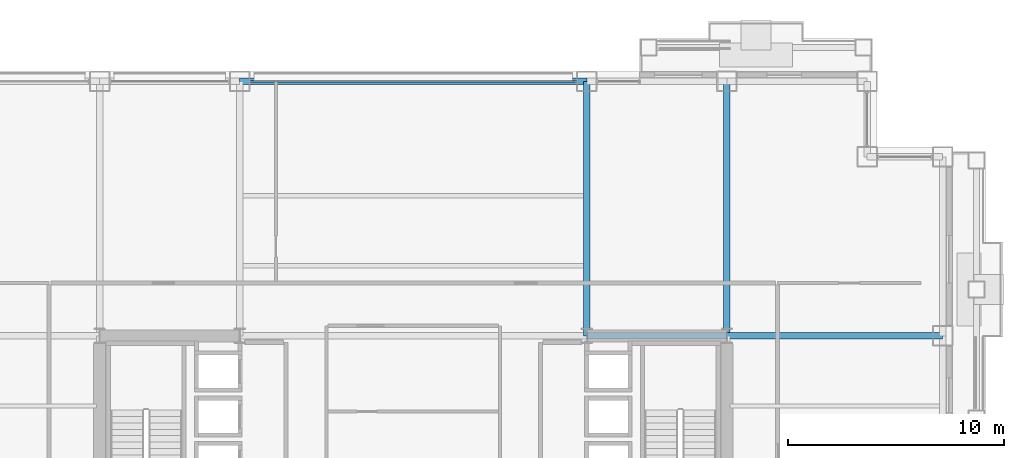
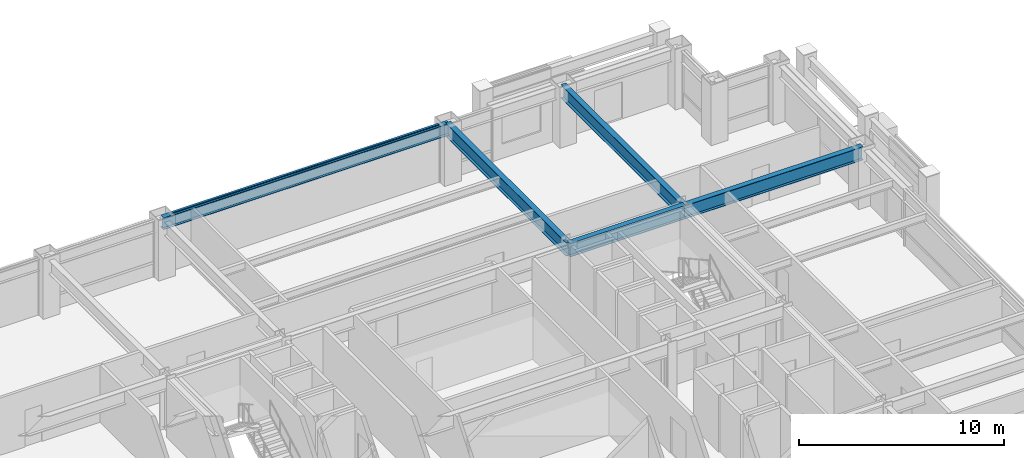
# One storey, part 20 of 31: 5 beams, 1 member, 1 element without a shape of its own.
"""IFC4 building model written with IfcOpenShell, lengths in metres."""

import ifcopenshell
import ifcopenshell.guid

model = None  # the IFC model being written
_history = None  # IfcOwnerHistory: only IFC2X3 demands one
_inside = {}  # id of a spatial element -> (the spatial element, [elements in it])
_under = {}  # id of a project, library or spatial element -> (it, [spatial elements below it])
_declared = {}  # id of a project -> (the project, [libraries it declares])
_typed = {}  # id of a type object -> (the type object, [elements of that type])
_made_of = {}  # id of a material, layer set ... -> (it, [elements and type objects made of it])


def new_model(schema):
    """Start an empty IFC model of exactly this schema.

    Asked for "IFC4X3", IfcOpenShell would pick the latest addendum, in which some entities
    have other attributes; the version numbers below select the first issue.
    IFC2X3 requires an IfcOwnerHistory on every rooted entity: one is made here for all.
    """
    global model, _history
    if schema == "IFC4X3":
        model = ifcopenshell.file(schema_version=(4, 3, 0, 0))
    else:
        model = ifcopenshell.file(schema=schema)
    _inside.clear()
    _under.clear()
    _declared.clear()
    _typed.clear()
    _made_of.clear()
    _history = None
    if model.schema == "IFC2X3":
        org = make("IfcOrganization", Name="unknown")
        user = make(
            "IfcPersonAndOrganization",
            ThePerson=make("IfcPerson", FamilyName="unknown"),
            TheOrganization=org,
        )
        app = make(
            "IfcApplication",
            ApplicationDeveloper=org,
            Version="unknown",
            ApplicationFullName="unknown",
            ApplicationIdentifier="unknown",
        )
        _history = make(
            "IfcOwnerHistory",
            OwningUser=user,
            OwningApplication=app,
            ChangeAction="ADDED",
            CreationDate=0,
        )
    return model


def make(cls, **values):
    """One entity of the class cls with the attributes given. An attribute that is None is left unset."""
    return model.create_entity(
        cls, **{name: value for name, value in values.items() if value is not None}
    )


def rooted(cls, **values):
    """An entity with a GlobalId (a new one), such as an element, a storey or a relation."""
    return make(cls, GlobalId=ifcopenshell.guid.new(), OwnerHistory=_history, **values)


def si_unit(unit_type, name, prefix=None):
    """IfcSIUnit, for example si_unit("LENGTHUNIT", "METRE", prefix="MILLI")."""
    return make("IfcSIUnit", UnitType=unit_type, Prefix=prefix, Name=name)


def assignment(units):
    """IfcUnitAssignment: the units of a project."""
    return None if units is None else make("IfcUnitAssignment", Units=units)


def point(xyz):
    """IfcCartesianPoint."""
    return None if xyz is None else make("IfcCartesianPoint", Coordinates=xyz)


def direction(xyz):
    """IfcDirection."""
    return None if xyz is None else make("IfcDirection", DirectionRatios=xyz)


def frame(location, z_axis=None, x_axis=None):
    """IfcAxis2Placement3D, a coordinate frame: its origin and axes. An axis left out is left unset."""
    return make(
        "IfcAxis2Placement3D",
        Location=point(location),
        Axis=direction(z_axis),
        RefDirection=direction(x_axis),
    )


def frame_2d(location, x_axis=None):
    """IfcAxis2Placement2D, a coordinate frame in the plane: its origin and x axis."""
    return make(
        "IfcAxis2Placement2D", Location=point(location), RefDirection=direction(x_axis)
    )


def origin():
    """The frame at (0, 0, 0) with its axes left unset."""
    return frame((0.0, 0.0, 0.0))


def origin_2d():
    """The frame at (0, 0) in the plane with its x axis left unset."""
    return frame_2d((0.0, 0.0))


def place(relative_to, where):
    """IfcLocalPlacement: puts the frame where relative to a parent placement (None: the world)."""
    return make(
        "IfcLocalPlacement", PlacementRelTo=relative_to, RelativePlacement=where
    )


def context(
    kind, dimensions, precision=None, world=None, true_north=None, identifier=None
):
    """IfcGeometricRepresentationContext, for example the 3D "Model" context."""
    return make(
        "IfcGeometricRepresentationContext",
        ContextIdentifier=identifier,
        ContextType=kind,
        CoordinateSpaceDimension=dimensions,
        Precision=precision,
        WorldCoordinateSystem=world,
        TrueNorth=true_north,
    )


def subcontext(parent, identifier, kind, view, scale=None):
    """IfcGeometricRepresentationSubContext, for example "Body" below "Model"."""
    return make(
        "IfcGeometricRepresentationSubContext",
        ContextIdentifier=identifier,
        ContextType=kind,
        ParentContext=parent,
        TargetScale=scale,
        TargetView=view,
    )


def project(units=None, contexts=None):
    """IfcProject with its units and contexts."""
    return rooted(
        "IfcProject",
        Name="project",
        RepresentationContexts=contexts,
        UnitsInContext=assignment(units),
    )


def spatial(cls, under=None, at=None, **own):
    """A site, building, storey or space (cls), placed at a placement, below another one or the project."""
    s = rooted(cls, ObjectPlacement=at, **own)
    if under is not None:
        _under.setdefault(under.id(), (under, []))[1].append(s)
    return s


def profile(cls, at=None, kind="AREA", **sizes):
    """A parametric profile (cls). Its sizes go by their IFC names, for example OverallWidth=200.0."""
    return make(cls, ProfileType=kind, Position=at, **sizes)


def hollow_rectangle(**sizes):
    """IfcRectangleHollowProfileDef."""
    return profile("IfcRectangleHollowProfileDef", **sizes)


def i_section(**sizes):
    """IfcIShapeProfileDef."""
    return profile("IfcIShapeProfileDef", **sizes)


def extrude(swept, where, along, depth):
    """IfcExtrudedAreaSolid: the profile swept, set in the frame where, extruded along a direction by depth."""
    return make(
        "IfcExtrudedAreaSolid",
        SweptArea=swept,
        Position=where,
        ExtrudedDirection=direction(along),
        Depth=depth,
    )


def shape(context_of_items, identifier, shape_type, items):
    """IfcShapeRepresentation: the items that make up one representation, for example the "Body"."""
    return make(
        "IfcShapeRepresentation",
        ContextOfItems=context_of_items,
        RepresentationIdentifier=identifier,
        RepresentationType=shape_type,
        Items=items,
    )


def material(Name=None, Category=None):
    """IfcMaterial."""
    return make("IfcMaterial", Name=Name, Category=Category)


def layer(
    of_material, thickness, ventilated=None, Name=None, Category=None, Priority=None
):
    """IfcMaterialLayer: one layer of a wall or slab, of a material (None: an air gap)."""
    return make(
        "IfcMaterialLayer",
        Material=of_material,
        LayerThickness=thickness,
        IsVentilated=ventilated,
        Name=Name,
        Category=Category,
        Priority=Priority,
    )


def layer_set(layers, Name=None):
    """IfcMaterialLayerSet."""
    return make("IfcMaterialLayerSet", MaterialLayers=layers, LayerSetName=Name)


def material_profile(
    of_material, cross_section, Name=None, Category=None, Priority=None
):
    """IfcMaterialProfile: a cross section and its material."""
    return make(
        "IfcMaterialProfile",
        Name=Name,
        Material=of_material,
        Profile=cross_section,
        Priority=Priority,
        Category=Category,
    )


def profile_set(profiles, Name=None, composite=None):
    """IfcMaterialProfileSet."""
    return make(
        "IfcMaterialProfileSet",
        Name=Name,
        MaterialProfiles=profiles,
        CompositeProfile=composite,
    )


def made_of(thing, what):
    """Note that an element or type object is made of a material, layer set ...; save() writes the relation."""
    if what is not None:
        _made_of.setdefault(what.id(), (what, []))[1].append(thing)
    return thing


def type_object(cls, material=None, **own):
    """A type object (cls), such as IfcWallType, which elements share."""
    return made_of(rooted(cls, **own), material)


def element(
    cls,
    number,
    at=None,
    inside=None,
    cuts=None,
    type_object=None,
    material=None,
    context=None,
    identifier="Body",
    shape_type=None,
    held_by="IfcProductDefinitionShape",
    body=None,
    shapes=None,
    **own,
):
    """One element of the class cls, such as IfcWall. Its Tag is "e" and its number.

    at: its placement. inside: the storey or other place that contains it. cuts: it is an
    opening in that element (IfcRelVoidsElement). A single representation is given by context,
    identifier, shape_type and body (its items); several are given by shapes. held_by: the class
    of the entity that holds the representations. save() writes the other relations.
    """
    e = rooted(cls, Tag="e%d" % number, ObjectPlacement=at, **own)
    if body is not None:
        shapes = [shape(context, identifier, shape_type, body)]
    if shapes is not None:
        e.Representation = make(held_by, Representations=shapes)
    if inside is not None:
        _inside.setdefault(inside.id(), (inside, []))[1].append(e)
    if cuts is not None:
        rooted(
            "IfcRelVoidsElement", RelatingBuildingElement=cuts, RelatedOpeningElement=e
        )
    if type_object is not None:
        _typed.setdefault(type_object.id(), (type_object, []))[1].append(e)
    return made_of(e, material)


def aggregate(whole, parts):
    """IfcRelAggregates: a whole, such as a stair, and the parts it consists of."""
    return rooted("IfcRelAggregates", RelatingObject=whole, RelatedObjects=parts)


def save(model, path):
    """Write the relations noted so far, then the file.

    IfcRelAggregates (storeys below a building ...), IfcRelContainedInSpatialStructure (elements
    in a storey), IfcRelDefinesByType, IfcRelAssociatesMaterial and IfcRelDeclares: one each for
    every whole, place, type object, material and project.
    """
    for whole, parts in _under.values():
        aggregate(whole, parts)
    for where, things in _inside.values():
        rooted(
            "IfcRelContainedInSpatialStructure",
            RelatedElements=things,
            RelatingStructure=where,
        )
    for kind, things in _typed.values():
        rooted("IfcRelDefinesByType", RelatedObjects=things, RelatingType=kind)
    for what, things in _made_of.values():
        rooted("IfcRelAssociatesMaterial", RelatedObjects=things, RelatingMaterial=what)
    for by, libraries in _declared.values():
        rooted("IfcRelDeclares", RelatingContext=by, RelatedDefinitions=libraries)
    model.write(path)


model = new_model("IFC4")

# Units and contexts
model_context = context("Model", 3, precision=1e-05, world=origin(), true_north=direction((0.0, 1.0)))
body_context = subcontext(model_context, "Body", "Model", "MODEL_VIEW")
ifc_project = project(units=[si_unit("LENGTHUNIT", "METRE"), si_unit("AREAUNIT", "SQUARE_METRE"), si_unit("VOLUMEUNIT", "CUBIC_METRE"), si_unit("PLANEANGLEUNIT", "RADIAN"), si_unit("MASSUNIT", "GRAM", prefix="KILO")], contexts=[model_context])

# Site, building, storey
site_placement = place(None, origin())
site = spatial("IfcSite", under=ifc_project, at=site_placement, CompositionType="ELEMENT")
building_placement = place(site_placement, origin())
building = spatial("IfcBuilding", under=site, at=building_placement, Name="Brelmoor Portico Tower", CompositionType="ELEMENT")
storey_placement = place(building_placement, frame((0.0, 0.0, 27.60009765625)))
storey = spatial("IfcBuildingStorey", under=building, at=storey_placement, Name="L06", CompositionType="ELEMENT", Elevation=27.60009765625)

# Beams
ifc_material_1 = material(Name="Steel Q355B", Category="steel")
ifc_material_profile_1 = material_profile(ifc_material_1, i_section(OverallWidth=0.300048828125, OverallDepth=0.800048828125, WebThickness=0.013916015625, FlangeThickness=0.02587890625, at=origin_2d()), Name="HN 800x300x14x26")
ifc_profile_set_1 = profile_set([ifc_material_profile_1], Name="Steel Q355B")
beam_type_1 = type_object("IfcBeamType", Name="BM-PG-800", PredefinedType="BEAM", material=ifc_profile_set_1)
for number, where, z_axis, x_axis, name in (
    (1, (8.050048828125, 9.75, 3.0), (0.0, 1.0, 0.0), (-1.0, 0.0, 0.0), "L06 Primary Floor Girder PG-10"),
    (2, (14.550048828125, 9.75, 3.0), (0.0, 1.0, 0.0), (-1.0, 0.0, 0.0), "L06 Primary Floor Girder PG-14"),
):
    element("IfcBeam", number, at=place(storey_placement, frame(where, z_axis=z_axis, x_axis=x_axis)), inside=storey, type_object=beam_type_1, Name=name, PredefinedType="BEAM", context=body_context, shape_type="SweptSolid", body=[
        extrude(i_section(OverallWidth=0.300048828125, OverallDepth=0.800048828125, WebThickness=0.013916015625, FlangeThickness=0.02587890625, at=origin_2d()), origin(), (0.0, 0.0, 1.0), 11.800048828125),
    ])
beam_1_placement = place(storey_placement, frame((8.050048828125, 9.75, 3.0), z_axis=(1.0, 0.0, 0.0), x_axis=(0.0, 1.0, 0.0)))
element("IfcBeam", 3, at=beam_1_placement, inside=storey, type_object=beam_type_1, Name="L06 Primary Floor Girder PG-30", PredefinedType="BEAM", context=body_context, shape_type="SweptSolid", body=[
    extrude(i_section(OverallWidth=0.300048828125, OverallDepth=0.800048828125, WebThickness=0.013916015625, FlangeThickness=0.02587890625, at=origin_2d()), origin(), (0.0, 0.0, 1.0), 6.5),
])
beam_2_placement = place(storey_placement, frame((14.550048828125, 9.75, 3.0), z_axis=(1.0, 0.0, 0.0), x_axis=(0.0, 1.0, 0.0)))
element("IfcBeam", 4, at=beam_2_placement, inside=storey, type_object=beam_type_1, Name="L06 Primary Floor Girder PG-31", PredefinedType="BEAM", context=body_context, shape_type="SweptSolid", body=[
    extrude(i_section(OverallWidth=0.300048828125, OverallDepth=0.800048828125, WebThickness=0.013916015625, FlangeThickness=0.02587890625, at=origin_2d()), origin(), (0.0, 0.0, 1.0), 10.0),
])
ifc_material_profile_2 = material_profile(ifc_material_1, i_section(OverallWidth=0.300048828125, OverallDepth=0.699951171875, WebThickness=0.012939453125, FlangeThickness=0.02392578125, at=origin_2d()), Name="HN 700x300x13x24")
ifc_profile_set_2 = profile_set([ifc_material_profile_2], Name="Steel Q355B")
beam_type_2 = type_object("IfcBeamType", Name="BM-SP-700", PredefinedType="SPANDREL", material=ifc_profile_set_2)
beam_3_placement = place(storey_placement, frame((-8.050048828125, 21.550048828125, 3.0498046875), z_axis=(1.0, 0.0, 0.0), x_axis=(0.0, 1.0, 0.0)))
element("IfcBeam", 5, at=beam_3_placement, inside=storey, type_object=beam_type_2, Name="L06 Perimeter Spandrel Beam SP-12", PredefinedType="SPANDREL", context=body_context, shape_type="SweptSolid", body=[
    extrude(i_section(OverallWidth=0.300048828125, OverallDepth=0.699951171875, WebThickness=0.012939453125, FlangeThickness=0.02392578125, at=origin_2d()), origin(), (0.0, 0.0, 1.0), 16.10009765625),
])

# Curtain wall, member
ifc_material_2 = material(Name="Anodised Aluminium Alloy 6063-T6", Category="aluminium")
ifc_layer = layer(ifc_material_2, 0.179931640625)
ifc_layer_set = layer_set([ifc_layer], Name="Anodised Aluminium Alloy 6063-T6")
curtain_wall_type = type_object("IfcCurtainWallType", Name="CW-TOWER-Z1-XB", PredefinedType="NOTDEFINED", material=ifc_layer_set)
curtain_wall_placement = place(storey_placement, origin())
curtain_wall = element("IfcCurtainWall", 6, at=curtain_wall_placement, inside=storey, type_object=curtain_wall_type, Name="L06 Curtain Wall CW-L06-2L-3", PredefinedType="NOTDEFINED")
ifc_material_profile_3 = material_profile(ifc_material_2, hollow_rectangle(XDim=0.06494140625, YDim=0.139892578125, WallThickness=0.00390625, at=origin_2d()), Name="ALU TRANSOM 65x140")
ifc_profile_set_3 = profile_set([ifc_material_profile_3], Name="Anodised Aluminium Alloy 6063-T6")
member_type = type_object("IfcMemberType", Name="MB-CW-TRAN-140", PredefinedType="USERDEFINED", material=ifc_profile_set_3)
member_placement = place(storey_placement, frame((-7.56494140625, 21.550048828125, 3.329833984375), z_axis=(1.0, 0.0, 0.0), x_axis=(0.0, 1.0, 0.0)))
member = element("IfcMember", 7, at=member_placement, type_object=member_type, Name="CW-L06-2L-3 Transom 1-00", ObjectType="TRANSOM", PredefinedType="USERDEFINED", context=body_context, shape_type="SweptSolid", body=[
    extrude(hollow_rectangle(XDim=0.06494140625, YDim=0.139892578125, WallThickness=0.00390625, at=origin_2d()), origin(), (0.0, 0.0, 1.0), 15.1298828125),
])
aggregate(curtain_wall, [member])

save(model, "model.ifc")
